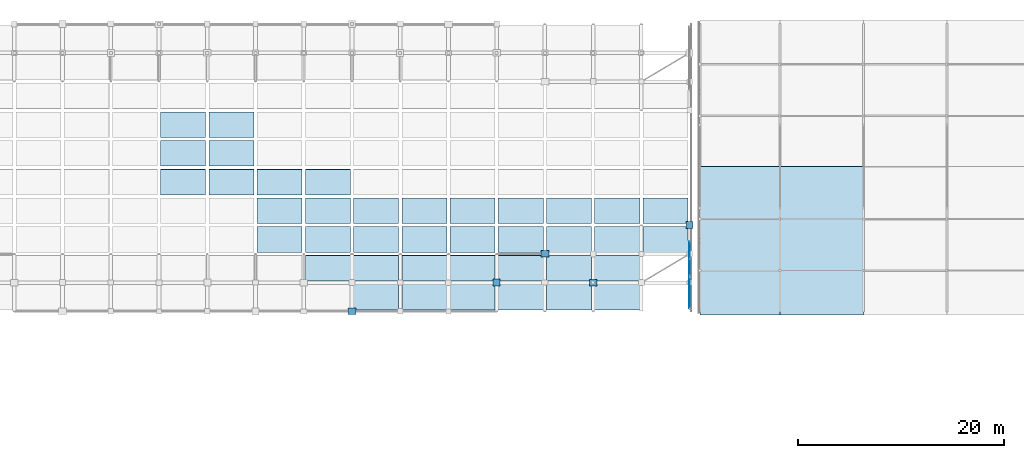
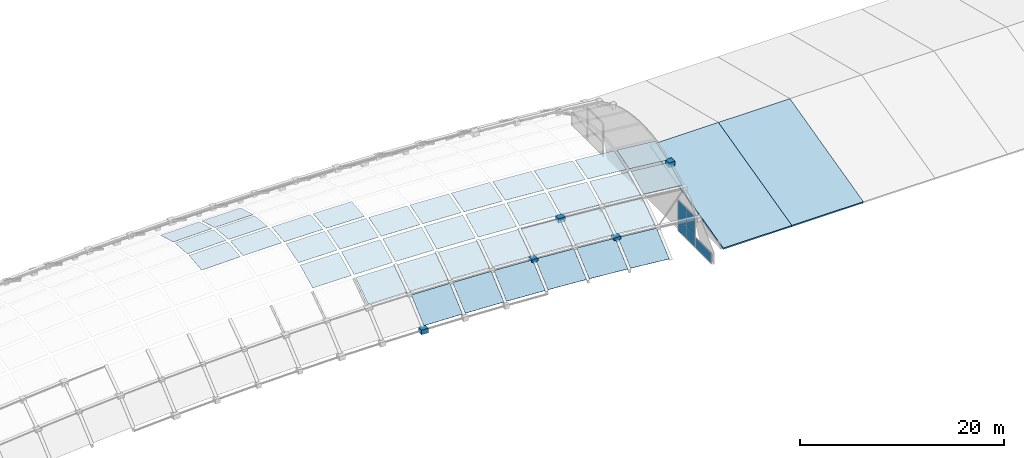
# One storey, part 45 of 65: 49 plates, 2 slabs, 3 elements without a shape of their own.
"""IFC4 building model written with IfcOpenShell, lengths in metres."""

from ifc_helpers import new_model, si_unit, direction, frame, origin, origin_2d, place, context, subcontext, project, spatial, polyline, rectangle, outline, extrude, material, layer, layer_set, type_object, element, aggregate, save


model = new_model("IFC4")

# Units and contexts
model_context = context("Model", 3, precision=1e-05, world=origin(), true_north=direction((0.0, 1.0)))
body_context = subcontext(model_context, "Body", "Model", "MODEL_VIEW")
ifc_project = project(units=[si_unit("LENGTHUNIT", "METRE"), si_unit("AREAUNIT", "SQUARE_METRE"), si_unit("VOLUMEUNIT", "CUBIC_METRE"), si_unit("PLANEANGLEUNIT", "RADIAN"), si_unit("MASSUNIT", "GRAM", prefix="KILO")], contexts=[model_context])

# Site, building, storey
site_placement = place(None, origin())
site = spatial("IfcSite", under=ifc_project, at=site_placement, CompositionType="ELEMENT")
building_placement = place(site_placement, origin())
building = spatial("IfcBuilding", under=site, at=building_placement, Name="Quillay Park Conservatory", CompositionType="ELEMENT")
storey_placement = place(building_placement, frame((0.0, 0.0, 14.10009765625)))
storey = spatial("IfcBuildingStorey", under=building, at=storey_placement, Name="L03", CompositionType="ELEMENT", Elevation=14.10009765625)

# Plates
ifc_material_1 = material(Name="Steel S355J2H", Category="steel")
ifc_layer_1 = layer(ifc_material_1, 0.0439453125)
ifc_layer_set_1 = layer_set([ifc_layer_1], Name="BOLTED GUSSET NODE PLATE GN04 (Steel S355J2H)")
plate_type_1 = type_object("IfcPlateType", Name="BOLTED GUSSET NODE PLATE GN04", PredefinedType="USERDEFINED", material=ifc_layer_set_1)
for number, where, z_axis, x_axis, name in (
    (1, (96.138916015625, 88.3349609375, 2.073974609375), (0.0, 0.0, 1.0), (1.0, 0.0, 0.0), "Conservatory gridshell star node GN04 (14,1)"),
    (2, (114.85009765625, 93.905029296875, 3.722412109375), (0.0, 0.0, 1.0), (1.0, 0.0, 0.0), "Conservatory gridshell star node GN04 (18,3)"),
):
    element("IfcPlate", number, at=place(storey_placement, frame(where, z_axis=z_axis, x_axis=x_axis)), inside=storey, type_object=plate_type_1, Name=name, ObjectType="GUSSET PLATE", PredefinedType="USERDEFINED", context=body_context, shape_type="SweptSolid", body=[
        extrude(rectangle(XDim=0.679931640625, YDim=0.679931640625, at=origin_2d()), origin(), (0.0, 0.0, 1.0), 0.5400390625),
    ])
ifc_material_2 = material(Name="Steel S355J2H", Category="steel")
ifc_layer_2 = layer(ifc_material_2, 0.052001953125)
ifc_layer_set_2 = layer_set([ifc_layer_2], Name="BOLTED GUSSET NODE PLATE GN06 (Steel S355J2H)")
plate_type_2 = type_object("IfcPlateType", Name="BOLTED GUSSET NODE PLATE GN06", PredefinedType="USERDEFINED", material=ifc_layer_set_2)
for number, where, z_axis, x_axis, name in (
    (3, (82.105712890625, 85.550048828125, 0.241943359375), (0.0, 0.0, 1.0), (1.0, 0.0, 0.0), "Conservatory gridshell star node GN06 (11,0)"),
    (4, (100.816650390625, 91.1201171875, 3.663818359375), (0.0, 0.0, 1.0), (1.0, 0.0, 0.0), "Conservatory gridshell star node GN06 (15,2)"),
    (5, (105.494384765625, 88.3349609375, 1.374755859375), (0.0, 0.0, 1.0), (1.0, 0.0, 0.0), "Conservatory gridshell star node GN06 (16,1)"),
):
    element("IfcPlate", number, at=place(storey_placement, frame(where, z_axis=z_axis, x_axis=x_axis)), inside=storey, type_object=plate_type_2, Name=name, ObjectType="GUSSET PLATE", PredefinedType="USERDEFINED", context=body_context, shape_type="SweptSolid", body=[
        extrude(rectangle(XDim=0.760009765625, YDim=0.639892578125, at=origin_2d()), origin(), (0.0, 0.0, 1.0), 0.5400390625),
    ])

# Curtain wall, plate
ifc_material_3 = material(Name="Thermally Broken Anodised Aluminium 6063-T6", Category="aluminium")
ifc_layer_3 = layer(ifc_material_3, 0.219970703125)
ifc_layer_set_3 = layer_set([ifc_layer_3], Name="UNITISED CURTAIN WALL CONSERVATORY (Thermally Broken Anodised Aluminium 6063-T6)")
curtain_wall_type = type_object("IfcCurtainWallType", Name="UNITISED CURTAIN WALL CONSERVATORY", PredefinedType="USERDEFINED", material=ifc_layer_set_3)
curtain_wall_1_placement = place(storey_placement, origin())
curtain_wall_1 = element("IfcCurtainWall", 6, at=curtain_wall_1_placement, inside=storey, type_object=curtain_wall_type, Name="L03 Unitised Curtain Wall 176", ObjectType="UNITISED CURTAIN WALL", PredefinedType="USERDEFINED")
ifc_material_4 = material(Name="Low-Iron Laminated Insulated Glazing", Category="glass")
ifc_layer_4 = layer(ifc_material_4, 0.031982421875)
ifc_layer_set_4 = layer_set([ifc_layer_4], Name="CURTAIN WALL GLAZED PANEL 32 (Low-Iron Laminated Insulated Glazing)")
plate_type_3 = type_object("IfcPlateType", Name="CURTAIN WALL GLAZED PANEL 32", PredefinedType="CURTAIN_PANEL", material=ifc_layer_set_4)
plate_1_placement = place(storey_placement, frame((114.85009765625, 87.3525390625, -3.13037109375), z_axis=(0.0, 0.0, 1.0), x_axis=(0.0, -1.0, 0.0)))
plate_1 = element("IfcPlate", 7, at=plate_1_placement, type_object=plate_type_3, Name="CW-C1 panel 1.1", PredefinedType="CURTAIN_PANEL", context=body_context, shape_type="SweptSolid", body=[
    extrude(rectangle(XDim=3.054931640625, YDim=0.031982421875, at=origin_2d()), origin(), (0.0, 0.0, 1.0), 1.177978515625),
])
aggregate(curtain_wall_1, [plate_1])

# Curtain wall, plates
curtain_wall_2_placement = place(storey_placement, origin())
curtain_wall_2 = element("IfcCurtainWall", 8, at=curtain_wall_2_placement, inside=storey, type_object=curtain_wall_type, Name="L03 Unitised Curtain Wall 178", ObjectType="UNITISED CURTAIN WALL", PredefinedType="USERDEFINED")
plate_2_placement = place(storey_placement, frame((114.85009765625, 91.482421875, -3.130126953125), z_axis=(0.0, 0.0, 1.0), x_axis=(0.0, -1.0, 0.0)))
plate_2 = element("IfcPlate", 9, at=plate_2_placement, type_object=plate_type_3, Name="CW-C1 panel 1.1", PredefinedType="CURTAIN_PANEL", context=body_context, shape_type="SweptSolid", body=[
    extrude(rectangle(XDim=1.594970703125, YDim=0.031982421875, at=origin_2d()), origin(), (0.0, 0.0, 1.0), 1.4755859375),
])
plate_3_placement = place(storey_placement, frame((114.85009765625, 91.482421875, -1.58447265625), z_axis=(0.0, 0.0, 1.0), x_axis=(0.0, -1.0, 0.0)))
plate_3 = element("IfcPlate", 10, at=plate_3_placement, type_object=plate_type_3, Name="CW-C1 panel 1.2", PredefinedType="CURTAIN_PANEL", context=body_context, shape_type="SweptSolid", body=[
    extrude(rectangle(XDim=1.594970703125, YDim=0.031982421875, at=origin_2d()), origin(), (0.0, 0.0, 1.0), 2.07763671875),
])
plate_4_placement = place(storey_placement, frame((114.85009765625, 89.8173828125, -3.130126953125), z_axis=(0.0, 0.0, 1.0), x_axis=(0.0, -1.0, 0.0)))
plate_4 = element("IfcPlate", 11, at=plate_4_placement, type_object=plate_type_3, Name="CW-C1 panel 2.1", PredefinedType="CURTAIN_PANEL", context=body_context, shape_type="SweptSolid", body=[
    extrude(rectangle(XDim=1.594970703125, YDim=0.031982421875, at=origin_2d()), origin(), (0.0, 0.0, 1.0), 1.4755859375),
])
plate_5_placement = place(storey_placement, frame((114.85009765625, 89.8173828125, -1.58447265625), z_axis=(0.0, 0.0, 1.0), x_axis=(0.0, -1.0, 0.0)))
plate_5 = element("IfcPlate", 12, at=plate_5_placement, type_object=plate_type_3, Name="CW-C1 panel 2.2", PredefinedType="CURTAIN_PANEL", context=body_context, shape_type="SweptSolid", body=[
    extrude(rectangle(XDim=1.594970703125, YDim=0.031982421875, at=origin_2d()), origin(), (0.0, 0.0, 1.0), 2.07763671875),
])
aggregate(curtain_wall_2, [plate_2, plate_3, plate_4, plate_5])

# Slabs
ifc_material_5 = material(Name="Concrete C35/45 (NCh170 Concrete C35/45)", Category="concrete")
ifc_layer_5 = layer(ifc_material_5, 0.199951171875)
ifc_layer_set_5 = layer_set([ifc_layer_5], Name="FOLDED ROOF SLAB 200 (Concrete C35/45 (NCh170 Concrete C35/45))")
slab_type = type_object("IfcSlabType", Name="FOLDED ROOF SLAB 200", PredefinedType="ROOF", material=ifc_layer_set_5)
slab_1_placement = place(storey_placement, frame((115.85009765625, 85.199951171875, -1.300048828125), z_axis=(0.0, -0.24252401475, 0.970145402643), x_axis=(1.0, 0.0, 0.0)))
element("IfcSlab", 13, at=slab_1_placement, inside=storey, type_object=slab_type, Name="Auditorium Folded Roof South Facet 1", PredefinedType="ROOF", context=body_context, shape_type="SweptSolid", body=[
    extrude(outline(polyline([(0.0, 0.0), (7.75, 0.0), (7.75, 14.843286836324875), (0.0, 14.843286836324875), (0.0, 0.0)])), origin(), (0.0, 0.0, -1.0), 0.199951171875),
])
slab_2_placement = place(storey_placement, frame((123.60009765625, 85.199951171875, -1.300048828125), z_axis=(0.0, -0.24252401475, 0.970145402643), x_axis=(1.0, 0.0, 0.0)))
element("IfcSlab", 14, at=slab_2_placement, inside=storey, type_object=slab_type, Name="Auditorium Folded Roof South Facet 2", PredefinedType="ROOF", context=body_context, shape_type="SweptSolid", body=[
    extrude(outline(polyline([(0.0, 0.0), (8.099853515625, 0.0), (8.099853515625, 14.843286836324875), (0.0, 14.843286836324875), (0.0, 0.0)])), origin(), (0.0, 0.0, -1.0), 0.199951171875),
])

# Roof, plates
ifc_material_6 = material(Name="Low-Iron Laminated Insulated Glazing", Category="glass")
roof_type = type_object("IfcRoofType", Name="TRANSLATIONAL GRIDSHELL ROOF", PredefinedType="FREEFORM", material=ifc_material_6)
roof_placement = place(storey_placement, origin())
roof = element("IfcRoof", 15, at=roof_placement, inside=storey, type_object=roof_type, Name="Multi-Biome Conservatory Translational Gridshell Roof", PredefinedType="FREEFORM")
ifc_material_7 = material(Name="Low-Iron Laminated Insulated Glazing", Category="glass")
ifc_layer_6 = layer(ifc_material_7, 0.033935546875)
ifc_layer_set_6 = layer_set([ifc_layer_6], Name="GRIDSHELL GLAZED PANEL 34 (Low-Iron Laminated Insulated Glazing)")
plate_type_4 = type_object("IfcPlateType", Name="GRIDSHELL GLAZED PANEL 34", PredefinedType="SHEET", material=ifc_layer_set_6)
plate_6_placement = place(storey_placement, frame((63.54443359375, 99.625, 7.58740234375), z_axis=(-0.018663069976, 0.087670041649, 0.99597472539), x_axis=(0.999824480576, 0.0, 0.018735208604)))
plate_6 = element("IfcPlate", 16, at=plate_6_placement, type_object=plate_type_4, Name="Conservatory Gridshell Roof Glazing Panel 07-05", PredefinedType="SHEET", context=body_context, shape_type="SweptSolid", body=[
    extrude(outline(polyline([(0.0, 0.0), (4.378454050609054, 8.673617379884035e-19), (4.374355723726989, 2.4947131427230222), (-0.004098326882065578, 2.4947131427230222), (0.0, 0.0)])), origin(), (0.0, 0.0, -1.0), 0.033935546875),
])
plate_7_placement = place(storey_placement, frame((68.22216796875, 96.840087890625, 7.40771484375), z_axis=(-0.006210315187, -0.106289606315, 0.994315820841), x_axis=(0.999980495452, 0.0, 0.006245695711)))
plate_7 = element("IfcPlate", 17, at=plate_7_placement, type_object=plate_type_4, Name="Conservatory Gridshell Roof Glazing Panel 08-04", PredefinedType="SHEET", context=body_context, shape_type="SweptSolid", body=[
    extrude(outline(polyline([(0.0, 0.0), (4.378015078703808, 0.0), (4.379674091627058, 2.4990196907598867), (0.0016590129232493189, 2.4990196907598867), (0.0, 0.0)])), origin(), (0.0, 0.0, -1.0), 0.033935546875),
])
plate_8_placement = place(storey_placement, frame((72.89990234375, 94.054931640625, 6.63427734375), z_axis=(0.005984513377, -0.286159401504, 0.958163338127), x_axis=(0.999980495452, 0.0, -0.006245695711)))
plate_8 = element("IfcPlate", 18, at=plate_8_placement, type_object=plate_type_4, Name="Conservatory Gridshell Roof Glazing Panel 09-03", PredefinedType="SHEET", context=body_context, shape_type="SweptSolid", body=[
    extrude(outline(polyline([(0.0, 0.0), (4.378015078703808, 1.734723475976807e-18), (4.373379601418259, 2.5935650552405267), (-0.004635477285549567, 2.5935650552405267), (0.0, 0.0)])), origin(), (0.0, 0.0, -1.0), 0.033935546875),
])
plate_9_placement = place(storey_placement, frame((77.577880859375, 91.27001953125, 5.25927734375), z_axis=(0.016800553904, -0.44256393277, 0.89657955966), x_axis=(0.999824480576, 0.0, -0.018735208604)))
plate_9 = element("IfcPlate", 19, at=plate_9_placement, type_object=plate_type_4, Name="Conservatory Gridshell Roof Glazing Panel 10-02", PredefinedType="SHEET", context=body_context, shape_type="SweptSolid", body=[
    extrude(outline(polyline([(0.0, 0.0), (4.378454050609054, 0.0), (4.355474146306044, 2.771005777133818), (-0.02297990430301056, 2.771005777133818), (0.0, 0.0)])), origin(), (0.0, 0.0, -1.0), 0.033935546875),
])
plate_10_placement = place(storey_placement, frame((82.255615234375, 88.485107421875, 3.29052734375), z_axis=(0.025752199587, -0.565164453272, 0.824576233573), x_axis=(0.999512674112, 0.0, -0.031215609698)))
plate_10 = element("IfcPlate", 20, at=plate_10_placement, type_object=plate_type_4, Name="Conservatory Gridshell Roof Glazing Panel 11-01", PredefinedType="SHEET", context=body_context, shape_type="SweptSolid", body=[
    extrude(outline(polyline([(0.0, 0.0), (4.379819946518331, -1.3877787807814457e-17), (4.326655861250659, 3.0120348391356915), (-0.05316408526767174, 3.0120348391356915), (0.0, 0.0)])), origin(), (0.0, 0.0, -1.0), 0.033935546875),
])
plate_11_placement = place(storey_placement, frame((86.933349609375, 85.699951171875, 0.72412109375), z_axis=(0.032827492154, -0.659709639996, 0.750803267611), x_axis=(0.999045510911, 0.0, -0.043681427726)))
plate_11 = element("IfcPlate", 21, at=plate_11_placement, type_object=plate_type_4, Name="Conservatory Gridshell Roof Glazing Panel 12-00", PredefinedType="SHEET", context=body_context, shape_type="SweptSolid", body=[
    extrude(outline(polyline([(0.0, 0.0), (4.381867992061984, 0.0), (4.286485499488478, 3.3067722545418414), (-0.09538249257350637, 3.3067722545418414), (0.0, 0.0)])), origin(), (0.0, 0.0, -1.0), 0.033935546875),
])
plate_12_placement = place(storey_placement, frame((86.933349609375, 94.054931640625, 6.36474609375), z_axis=(0.041857962431, -0.285913723188, 0.957340719845), x_axis=(0.999045510911, 0.0, -0.043681427726)))
plate_12 = element("IfcPlate", 22, at=plate_12_placement, type_object=plate_type_4, Name="Conservatory Gridshell Roof Glazing Panel 12-03", PredefinedType="SHEET", context=body_context, shape_type="SweptSolid", body=[
    extrude(outline(polyline([(0.0, 0.0), (4.381867992061984, 6.938893903907228e-18), (4.349448182421615, 2.593366564787427), (-0.03241980964036889, 2.593366564787427), (0.0, 0.0)])), origin(), (0.0, 0.0, -1.0), 0.033935546875),
])
plate_13_placement = place(storey_placement, frame((91.611083984375, 91.27001953125, 4.81396484375), z_axis=(0.050342052262, -0.442065169955, 0.895569128145), x_axis=(0.998423819779, 0.0, -0.05612375699)))
plate_13 = element("IfcPlate", 23, at=plate_13_placement, type_object=plate_type_4, Name="Conservatory Gridshell Roof Glazing Panel 13-02", PredefinedType="SHEET", context=body_context, shape_type="SweptSolid", body=[
    extrude(outline(polyline([(0.0, 0.0), (4.384840987137722, 0.0), (4.3160016914552095, 2.7702458815564914), (-0.06883929568251282, 2.7702458815564914), (0.0, 0.0)])), origin(), (0.0, 0.0, -1.0), 0.033935546875),
])
plate_14_placement = place(storey_placement, frame((96.288818359375, 88.485107421875, 2.67333984375), z_axis=(0.056579692806, -0.564446303089, 0.823528450809), x_axis=(0.997648203197, 0.0, -0.068542415031)))
plate_14 = element("IfcPlate", 24, at=plate_14_placement, type_object=plate_type_4, Name="Conservatory Gridshell Roof Glazing Panel 14-01", PredefinedType="SHEET", context=body_context, shape_type="SweptSolid", body=[
    extrude(outline(polyline([(0.0, 0.0), (4.388249959727159, 2.7755575615628914e-17), (4.271513659127249, 3.0102413405326427), (-0.11673630059990946, 3.010241340532643), (0.0, 0.0)])), origin(), (0.0, 0.0, -1.0), 0.033935546875),
])
plate_15_placement = place(storey_placement, frame((100.966796875, 85.699951171875, -0.06884765625), z_axis=(0.060885053761, -0.658840829954, 0.749814491067), x_axis=(0.996719480928, 0.0, -0.080933777493)))
plate_15 = element("IfcPlate", 25, at=plate_15_placement, type_object=plate_type_4, Name="Conservatory Gridshell Roof Glazing Panel 15-00", PredefinedType="SHEET", context=body_context, shape_type="SweptSolid", body=[
    extrude(outline(polyline([(0.0, 0.0), (4.392093894664006, 0.0), (4.215367403965953, 3.3034237255887753), (-0.1767264906980527, 3.3034237255887753), (0.0, 0.0)])), origin(), (0.0, 0.0, -1.0), 0.033935546875),
])
plate_16_placement = place(storey_placement, frame((100.966796875, 94.054931640625, 5.57177734375), z_axis=(0.077569974286, -0.285302286538, 0.95529341272), x_axis=(0.996719480928, 0.0, -0.080933777493)))
plate_16 = element("IfcPlate", 26, at=plate_16_placement, type_object=plate_type_4, Name="Conservatory Gridshell Roof Glazing Panel 15-03", PredefinedType="SHEET", context=body_context, shape_type="SweptSolid", body=[
    extrude(outline(polyline([(0.0, 0.0), (4.392093894664006, 0.0), (4.332025856680768, 2.5928735052499774), (-0.060068037983237954, 2.5928735052499774), (0.0, 0.0)])), origin(), (0.0, 0.0, -1.0), 0.033935546875),
])
plate_17_placement = place(storey_placement, frame((105.644287109375, 91.27001953125, 3.84912109375), z_axis=(0.083715044913, -0.441072668602, 0.893558443677), x_axis=(0.995640029065, 0.0, -0.09327878925)))
plate_17 = element("IfcPlate", 27, at=plate_17_placement, type_object=plate_type_4, Name="Conservatory Gridshell Roof Glazing Panel 16-02", PredefinedType="SHEET", context=body_context, shape_type="SweptSolid", body=[
    extrude(outline(polyline([(0.0, 0.0), (4.397100919709247, 0.0), (4.282688654769945, 2.768738146979997), (-0.11441226493930247, 2.768738146979997), (0.0, 0.0)])), origin(), (0.0, 0.0, -1.0), 0.033935546875),
])
ifc_material_8 = material(Name="Low-Iron Laminated Insulated Glazing", Category="glass")
ifc_layer_7 = layer(ifc_material_8, 0.0380859375)
ifc_layer_set_7 = layer_set([ifc_layer_7], Name="GRIDSHELL GLAZED PANEL 38 (Low-Iron Laminated Insulated Glazing)")
plate_type_5 = type_object("IfcPlateType", Name="GRIDSHELL GLAZED PANEL 38", PredefinedType="SHEET", material=ifc_layer_set_7)
plate_18_placement = place(storey_placement, frame((63.54443359375, 102.409912109375, 7.31396484375), z_axis=(-0.018035164335, 0.270802853559, 0.962465868149), x_axis=(0.999824480576, 0.0, 0.018735208604)))
plate_18 = element("IfcPlate", 28, at=plate_18_placement, type_object=plate_type_5, Name="Conservatory Gridshell Roof Glazing Panel 07-06", PredefinedType="SHEET", context=body_context, shape_type="SweptSolid", body=[
    extrude(outline(polyline([(0.0, 0.0), (4.378454050609054, 0.0), (4.365354041468167, 2.5815681568322546), (-0.013100009140888186, 2.581568156832254), (0.0, 0.0)])), origin(), (0.0, 0.0, -1.0), 0.0380859375),
])
plate_19_placement = place(storey_placement, frame((68.22216796875, 99.625, 7.67333984375), z_axis=(-0.006221639628, 0.08768361671, 0.996128944746), x_axis=(0.999980495452, 0.0, 0.006245695711)))
plate_19 = element("IfcPlate", 29, at=plate_19_placement, type_object=plate_type_5, Name="Conservatory Gridshell Roof Glazing Panel 08-05", PredefinedType="SHEET", context=body_context, shape_type="SweptSolid", body=[
    extrude(outline(polyline([(0.0, 0.0), (4.378015078703808, 4.336808689942018e-19), (4.376648832767015, 2.4947161349801403), (-0.0013662459367935567, 2.4947161349801403), (0.0, 0.0)])), origin(), (0.0, 0.0, -1.0), 0.0380859375),
])
plate_20_placement = place(storey_placement, frame((72.89990234375, 96.840087890625, 7.43505859375), z_axis=(0.006210315187, -0.106289606315, 0.994315820841), x_axis=(0.999980495452, 0.0, -0.006245695711)))
plate_20 = element("IfcPlate", 30, at=plate_20_placement, type_object=plate_type_5, Name="Conservatory Gridshell Roof Glazing Panel 09-04", PredefinedType="SHEET", context=body_context, shape_type="SweptSolid", body=[
    extrude(outline(polyline([(0.0, 0.0), (4.378015078703808, 0.0), (4.376356065780559, 2.4990196907598867), (-0.0016590129232493189, 2.4990196907598867), (0.0, 0.0)])), origin(), (0.0, 0.0, -1.0), 0.0380859375),
])
plate_21_placement = place(storey_placement, frame((77.577880859375, 94.054931640625, 6.60302734375), z_axis=(0.017951969492, -0.286118410659, 0.958026086217), x_axis=(0.999824480576, 0.0, -0.018735208604)))
plate_21 = element("IfcPlate", 31, at=plate_21_placement, type_object=plate_type_5, Name="Conservatory Gridshell Roof Glazing Panel 10-03", PredefinedType="SHEET", context=body_context, shape_type="SweptSolid", body=[
    extrude(outline(polyline([(0.0, 0.0), (4.378454050609054, 3.469446951953614e-18), (4.364549012973475, 2.593531922560973), (-0.013905037635579638, 2.593531922560973), (0.0, 0.0)])), origin(), (0.0, 0.0, -1.0), 0.0380859375),
])
plate_22_placement = place(storey_placement, frame((82.255615234375, 91.27001953125, 5.16943359375), z_axis=(0.027993900481, -0.44245293678, 0.89635469557), x_axis=(0.999512674112, 0.0, -0.031215609698)))
plate_22 = element("IfcPlate", 32, at=plate_22_placement, type_object=plate_type_5, Name="Conservatory Gridshell Roof Glazing Panel 11-02", PredefinedType="SHEET", context=body_context, shape_type="SweptSolid", body=[
    extrude(outline(polyline([(0.0, 0.0), (4.379819946518331, -6.938893903907228e-18), (4.341532050247576, 2.770836539731265), (-0.03828789627075442, 2.770836539731265), (0.0, 0.0)])), origin(), (0.0, 0.0, -1.0), 0.0380859375),
])
plate_23_placement = place(storey_placement, frame((86.933349609375, 88.485107421875, 3.14208984375), z_axis=(0.036041608325, -0.564984633507, 0.824313876124), x_axis=(0.999045510911, 0.0, -0.043681427726)))
plate_23 = element("IfcPlate", 33, at=plate_23_placement, type_object=plate_type_5, Name="Conservatory Gridshell Roof Glazing Panel 12-01", PredefinedType="SHEET", context=body_context, shape_type="SweptSolid", body=[
    extrude(outline(polyline([(0.0, 0.0), (4.381867992061984, 0.0), (4.30747306046619, 3.0115852447311493), (-0.07439493159579387, 3.0115852447311493), (0.0, 0.0)])), origin(), (0.0, 0.0, -1.0), 0.0380859375),
])
plate_24_placement = place(storey_placement, frame((91.611083984375, 85.699951171875, 0.51708984375), z_axis=(0.042189582882, -0.659477686763, 0.750539285953), x_axis=(0.998423819779, 0.0, -0.05612375699)))
plate_24 = element("IfcPlate", 34, at=plate_24_placement, type_object=plate_type_5, Name="Conservatory Gridshell Roof Glazing Panel 13-00", PredefinedType="SHEET", context=body_context, shape_type="SweptSolid", body=[
    extrude(outline(polyline([(0.0, 0.0), (4.384840987137722, 2.7755575615628914e-17), (4.26228950214879, 3.305876842355789), (-0.12255148498893206, 3.305876842355789), (0.0, 0.0)])), origin(), (0.0, 0.0, -1.0), 0.0380859375),
])
plate_25_placement = place(storey_placement, frame((91.611083984375, 94.054931640625, 6.15771484375), z_axis=(0.053783626367, -0.285750335227, 0.956793638907), x_axis=(0.998423819779, 0.0, -0.05612375699)))
plate_25 = element("IfcPlate", 35, at=plate_25_placement, type_object=plate_type_5, Name="Conservatory Gridshell Roof Glazing Panel 13-03", PredefinedType="SHEET", context=body_context, shape_type="SweptSolid", body=[
    extrude(outline(polyline([(0.0, 0.0), (4.384840987137722, 0.0), (4.34318663624703, 2.5932346786332965), (-0.04165435089069247, 2.593234678633296), (0.0, 0.0)])), origin(), (0.0, 0.0, -1.0), 0.0380859375),
])
plate_26_placement = place(storey_placement, frame((96.288818359375, 91.27001953125, 4.55224609375), z_axis=(0.061490708681, -0.441788803266, 0.895009243558), x_axis=(0.997648203197, 0.0, -0.068542415031)))
plate_26 = element("IfcPlate", 36, at=plate_26_placement, type_object=plate_type_5, Name="Conservatory Gridshell Roof Glazing Panel 14-02", PredefinedType="SHEET", context=body_context, shape_type="SweptSolid", body=[
    extrude(outline(polyline([(0.0, 0.0), (4.388249959727159, 2.7755575615628914e-17), (4.304178403790527, 2.769825457748766), (-0.08407155593663203, 2.769825457748766), (0.0, 0.0)])), origin(), (0.0, 0.0, -1.0), 0.0380859375),
])
plate_27_placement = place(storey_placement, frame((100.966796875, 88.485107421875, 2.34912109375), z_axis=(0.066828202311, -0.56408810222, 0.823005834919), x_axis=(0.996719480928, 0.0, -0.080933777493)))
plate_27 = element("IfcPlate", 37, at=plate_27_placement, type_object=plate_type_5, Name="Conservatory Gridshell Roof Glazing Panel 15-01", PredefinedType="SHEET", context=body_context, shape_type="SweptSolid", body=[
    extrude(outline(polyline([(0.0, 0.0), (4.392093894664006, 0.0), (4.254253554870891, 3.0093488220635436), (-0.13784033979311447, 3.0093488220635436), (0.0, 0.0)])), origin(), (0.0, 0.0, -1.0), 0.0380859375),
])
plate_28_placement = place(storey_placement, frame((105.644287109375, 85.699951171875, -0.44775390625), z_axis=(0.070204981761, -0.658436739241, 0.749354602944), x_axis=(0.995640029065, 0.0, -0.09327878925)))
plate_28 = element("IfcPlate", 38, at=plate_28_placement, type_object=plate_type_5, Name="Conservatory Gridshell Roof Glazing Panel 16-00", PredefinedType="SHEET", context=body_context, shape_type="SweptSolid", body=[
    extrude(outline(polyline([(0.0, 0.0), (4.397100919709247, 5.551115123125783e-17), (4.1934179384956485, 3.301871258311143), (-0.20368298121359898, 3.3018712583111434), (0.0, 0.0)])), origin(), (0.0, 0.0, -1.0), 0.0380859375),
])
plate_29_placement = place(storey_placement, frame((105.644287109375, 94.054931640625, 5.19287109375), z_axis=(0.089409775434, -0.285018415772, 0.954342912547), x_axis=(0.995640029065, 0.0, -0.09327878925)))
plate_29 = element("IfcPlate", 39, at=plate_29_placement, type_object=plate_type_5, Name="Conservatory Gridshell Roof Glazing Panel 16-03", PredefinedType="SHEET", context=body_context, shape_type="SweptSolid", body=[
    extrude(outline(polyline([(0.0, 0.0), (4.397100919709247, 0.0), (4.327870568312854, 2.5926450474100755), (-0.06923035139639322, 2.592645047410075), (0.0, 0.0)])), origin(), (0.0, 0.0, -1.0), 0.0380859375),
])
plate_30_placement = place(storey_placement, frame((110.322265625, 91.27001953125, 3.40771484375), z_axis=(0.093998395221, -0.440666609404, 0.892735818175), x_axis=(0.994502413448, 0.0, -0.10471365549)))
plate_30 = element("IfcPlate", 40, at=plate_30_placement, type_object=plate_type_5, Name="Conservatory Gridshell Roof Glazing Panel 17-02", PredefinedType="SHEET", context=body_context, shape_type="SweptSolid", body=[
    extrude(outline(polyline([(0.0, 0.0), (4.401885292261092, 0.0), (4.27344744919923, 2.768122976563791), (-0.12843784306186232, 2.7681229765637916), (0.0, 0.0)])), origin(), (0.0, 0.0, -1.0), 0.0380859375),
])
ifc_material_9 = material(Name="Low-Iron Laminated Insulated Glazing", Category="glass")
ifc_layer_8 = layer(ifc_material_9, 0.0419921875)
ifc_layer_set_8 = layer_set([ifc_layer_8], Name="GRIDSHELL GLAZED PANEL 42 (Low-Iron Laminated Insulated Glazing)")
plate_type_6 = type_object("IfcPlateType", Name="GRIDSHELL GLAZED PANEL 42", PredefinedType="SHEET", material=ifc_layer_set_8)
plate_31_placement = place(storey_placement, frame((63.54443359375, 96.840087890625, 7.32177734375), z_axis=(-0.018629110506, -0.106273210536, 0.99416244194), x_axis=(0.999824480576, 0.0, 0.018735208604)))
plate_31 = element("IfcPlate", 41, at=plate_31_placement, type_object=plate_type_6, Name="Conservatory Gridshell Roof Glazing Panel 07-04", PredefinedType="SHEET", context=body_context, shape_type="SweptSolid", body=[
    extrude(outline(polyline([(0.0, 0.0), (4.378454050609054, 0.0), (4.38343059039442, 2.499015286304044), (0.004976539785365344, 2.499015286304044), (0.0, 0.0)])), origin(), (0.0, 0.0, -1.0), 0.0419921875),
])
plate_32_placement = place(storey_placement, frame((68.22216796875, 102.409912109375, 7.39990234375), z_axis=(-0.00601225542, 0.270842010718, 0.962605037393), x_axis=(0.999980495452, 0.0, 0.006245695711)))
plate_32 = element("IfcPlate", 42, at=plate_32_placement, type_object=plate_type_6, Name="Conservatory Gridshell Roof Glazing Panel 08-06", PredefinedType="SHEET", context=body_context, shape_type="SweptSolid", body=[
    extrude(outline(polyline([(0.0, 0.0), (4.378015078703808, 0.0), (4.373647971155843, 2.5815977004524613), (-0.004367107547965119, 2.5815977004524617), (0.0, 0.0)])), origin(), (0.0, 0.0, -1.0), 0.0419921875),
])
plate_33_placement = place(storey_placement, frame((72.89990234375, 91.27001953125, 5.29052734375), z_axis=(0.00560057497, -0.442619462874, 0.896692056754), x_axis=(0.999980495452, 0.0, -0.006245695711)))
plate_33 = element("IfcPlate", 43, at=plate_33_placement, type_object=plate_type_6, Name="Conservatory Gridshell Roof Glazing Panel 09-02", PredefinedType="SHEET", context=body_context, shape_type="SweptSolid", body=[
    extrude(outline(polyline([(0.0, 0.0), (4.378015078703808, 1.734723475976807e-18), (4.370354342558216, 2.771090472365072), (-0.007660736145592442, 2.771090472365072), (0.0, 0.0)])), origin(), (0.0, 0.0, -1.0), 0.0419921875),
])
plate_34_placement = place(storey_placement, frame((77.577880859375, 88.485107421875, 3.38037109375), z_axis=(0.015454599818, -0.565284428546, 0.824751277773), x_axis=(0.999824480576, 0.0, -0.018735208604)))
plate_34 = element("IfcPlate", 44, at=plate_34_placement, type_object=plate_type_6, Name="Conservatory Gridshell Roof Glazing Panel 10-01", PredefinedType="SHEET", context=body_context, shape_type="SweptSolid", body=[
    extrude(outline(polyline([(0.0, 0.0), (4.378454050609054, 0.0), (4.346545648455829, 3.0123349989670056), (-0.03190840215322485, 3.0123349989670056), (0.0, 0.0)])), origin(), (0.0, 0.0, -1.0), 0.0419921875),
])
plate_35_placement = place(storey_placement, frame((77.577880859375, 96.840087890625, 7.40380859375), z_axis=(0.018629110506, -0.106273210536, 0.99416244194), x_axis=(0.999824480576, 0.0, -0.018735208604)))
plate_35 = element("IfcPlate", 45, at=plate_35_placement, type_object=plate_type_6, Name="Conservatory Gridshell Roof Glazing Panel 10-04", PredefinedType="SHEET", context=body_context, shape_type="SweptSolid", body=[
    extrude(outline(polyline([(0.0, 0.0), (4.378454050609054, 0.0), (4.373477510823689, 2.499015286304044), (-0.004976539785365344, 2.499015286304044), (0.0, 0.0)])), origin(), (0.0, 0.0, -1.0), 0.0419921875),
])
plate_36_placement = place(storey_placement, frame((82.255615234375, 85.699951171875, 0.87255859375), z_axis=(0.023454399416, -0.659883814817, 0.751001492735), x_axis=(0.999512674112, 0.0, -0.031215609698)))
plate_36 = element("IfcPlate", 46, at=plate_36_placement, type_object=plate_type_6, Name="Conservatory Gridshell Roof Glazing Panel 11-00", PredefinedType="SHEET", context=body_context, shape_type="SweptSolid", body=[
    extrude(outline(polyline([(0.0, 0.0), (4.379819946518331, 0.0), (4.311657736278357, 3.307445309660082), (-0.06816221023997364, 3.307445309660082), (0.0, 0.0)])), origin(), (0.0, 0.0, -1.0), 0.0419921875),
])
plate_37_placement = place(storey_placement, frame((82.255615234375, 94.054931640625, 6.51318359375), z_axis=(0.029911381815, -0.28603648293, 0.957751763074), x_axis=(0.999512674112, 0.0, -0.031215609698)))
plate_37 = element("IfcPlate", 47, at=plate_37_placement, type_object=plate_type_6, Name="Conservatory Gridshell Roof Glazing Panel 11-03", PredefinedType="SHEET", context=body_context, shape_type="SweptSolid", body=[
    extrude(outline(polyline([(0.0, 0.0), (4.379819946518331, 0.0), (4.356652111195262, 2.593465718844362), (-0.023167835323067962, 2.593465718844362), (0.0, 0.0)])), origin(), (0.0, 0.0, -1.0), 0.0419921875),
])
plate_38_placement = place(storey_placement, frame((86.933349609375, 91.27001953125, 5.02099609375), z_axis=(0.03917672688, -0.442286599273, 0.89601771644), x_axis=(0.999045510911, 0.0, -0.043681427726)))
plate_38 = element("IfcPlate", 48, at=plate_38_placement, type_object=plate_type_6, Name="Conservatory Gridshell Roof Glazing Panel 12-02", PredefinedType="SHEET", context=body_context, shape_type="SweptSolid", body=[
    extrude(outline(polyline([(0.0, 0.0), (4.381867992061984, 0.0), (4.328289990866849, 2.7705830597003764), (-0.053578001195135956, 2.7705830597003764), (0.0, 0.0)])), origin(), (0.0, 0.0, -1.0), 0.0419921875),
])
plate_39_placement = place(storey_placement, frame((91.611083984375, 88.485107421875, 2.93505859375), z_axis=(0.046316990321, -0.564745208169, 0.823964554006), x_axis=(0.998423819779, 0.0, -0.05612375699)))
plate_39 = element("IfcPlate", 49, at=plate_39_placement, type_object=plate_type_6, Name="Conservatory Gridshell Roof Glazing Panel 13-01", PredefinedType="SHEET", context=body_context, shape_type="SweptSolid", body=[
    extrude(outline(polyline([(0.0, 0.0), (4.384840987137722, 0.0), (4.2892552135148705, 3.0109871557365437), (-0.0955857736228522, 3.0109871557365437), (0.0, 0.0)])), origin(), (0.0, 0.0, -1.0), 0.0419921875),
])
plate_40_placement = place(storey_placement, frame((96.288818359375, 85.699951171875, 0.25537109375), z_axis=(0.051542398016, -0.659188039549, 0.750209643848), x_axis=(0.997648203197, 0.0, -0.068542415031)))
plate_40 = element("IfcPlate", 50, at=plate_40_placement, type_object=plate_type_6, Name="Conservatory Gridshell Roof Glazing Panel 14-00", PredefinedType="SHEET", context=body_context, shape_type="SweptSolid", body=[
    extrude(outline(polyline([(0.0, 0.0), (4.388249959727159, 0.0), (4.238581170655257, 3.3047601753947324), (-0.14966878907190223, 3.3047601753947324), (0.0, 0.0)])), origin(), (0.0, 0.0, -1.0), 0.0419921875),
])
plate_41_placement = place(storey_placement, frame((96.288818359375, 94.054931640625, 5.89599609375), z_axis=(0.06568864252, -0.285546458851, 0.95611098837), x_axis=(0.997648203197, 0.0, -0.068542415031)))
plate_41 = element("IfcPlate", 51, at=plate_41_placement, type_object=plate_type_6, Name="Conservatory Gridshell Roof Glazing Panel 14-03", PredefinedType="SHEET", context=body_context, shape_type="SweptSolid", body=[
    extrude(outline(polyline([(0.0, 0.0), (4.388249959727159, 1.3877787807814457e-17), (4.337378636071235, 2.5930702442941946), (-0.05087132365592384, 2.5930702442941946), (0.0, 0.0)])), origin(), (0.0, 0.0, -1.0), 0.0419921875),
])
plate_42_placement = place(storey_placement, frame((100.966796875, 91.27001953125, 4.22802734375), z_axis=(0.072620426108, -0.44145771661, 0.894338503117), x_axis=(0.996719480928, 0.0, -0.080933777493)))
plate_42 = element("IfcPlate", 52, at=plate_42_placement, type_object=plate_type_6, Name="Conservatory Gridshell Roof Glazing Panel 15-02", PredefinedType="SHEET", context=body_context, shape_type="SweptSolid", body=[
    extrude(outline(polyline([(0.0, 0.0), (4.392093894664006, 0.0), (4.2928235582074965, 2.769322388818351), (-0.09927033645650904, 2.769322388818351), (0.0, 0.0)])), origin(), (0.0, 0.0, -1.0), 0.0419921875),
])
plate_43_placement = place(storey_placement, frame((105.644287109375, 88.485107421875, 1.97021484375), z_axis=(0.077048200398, -0.563671365576, 0.8223978152), x_axis=(0.995640029065, 0.0, -0.09327878925)))
plate_43 = element("IfcPlate", 53, at=plate_43_placement, type_object=plate_type_6, Name="Conservatory Gridshell Roof Glazing Panel 16-01", PredefinedType="SHEET", context=body_context, shape_type="SweptSolid", body=[
    extrude(outline(polyline([(0.0, 0.0), (4.397100919709247, 0.0), (4.23823548176805, 3.0083121621196947), (-0.15886543794119706, 3.008312162119694), (0.0, 0.0)])), origin(), (0.0, 0.0, -1.0), 0.0419921875),
])
plate_44_placement = place(storey_placement, frame((110.322265625, 94.054931640625, 4.75146484375), z_axis=(0.100379659053, -0.284719168104, 0.953340925043), x_axis=(0.994502413448, 0.0, -0.10471365549)))
plate_44 = element("IfcPlate", 54, at=plate_44_placement, type_object=plate_type_6, Name="Conservatory Gridshell Roof Glazing Panel 17-03", PredefinedType="SHEET", context=body_context, shape_type="SweptSolid", body=[
    extrude(outline(polyline([(0.0, 0.0), (4.401885292261092, 0.0), (4.324168126077162, 2.5924045258205366), (-0.07771716618392943, 2.5924045258205366), (0.0, 0.0)])), origin(), (0.0, 0.0, -1.0), 0.0419921875),
])
aggregate(roof, [plate_31, plate_6, plate_18, plate_7, plate_19, plate_32, plate_33, plate_8, plate_20, plate_34, plate_9, plate_21, plate_35, plate_36, plate_10, plate_22, plate_37, plate_11, plate_23, plate_38, plate_12, plate_24, plate_39, plate_13, plate_25, plate_40, plate_14, plate_26, plate_41, plate_15, plate_27, plate_42, plate_16, plate_28, plate_43, plate_17, plate_29, plate_30, plate_44])

save(model, "model.ifc")
